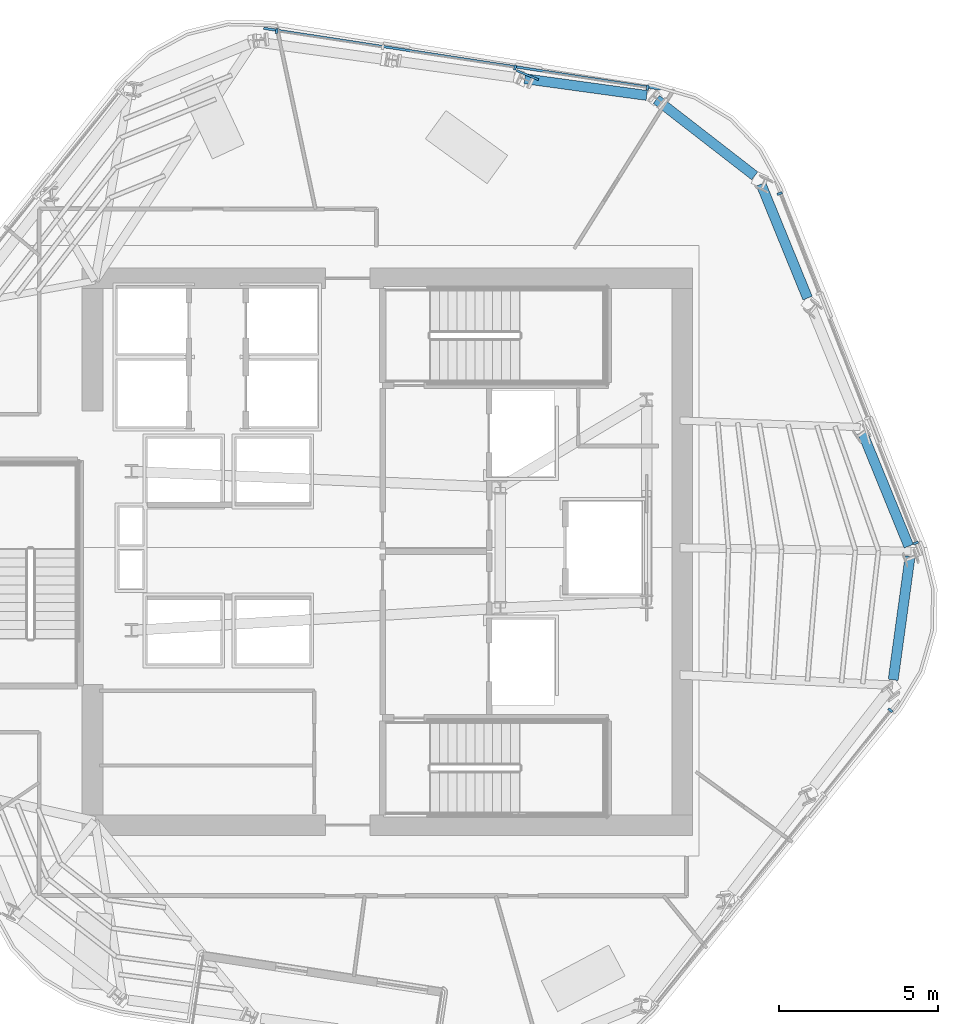
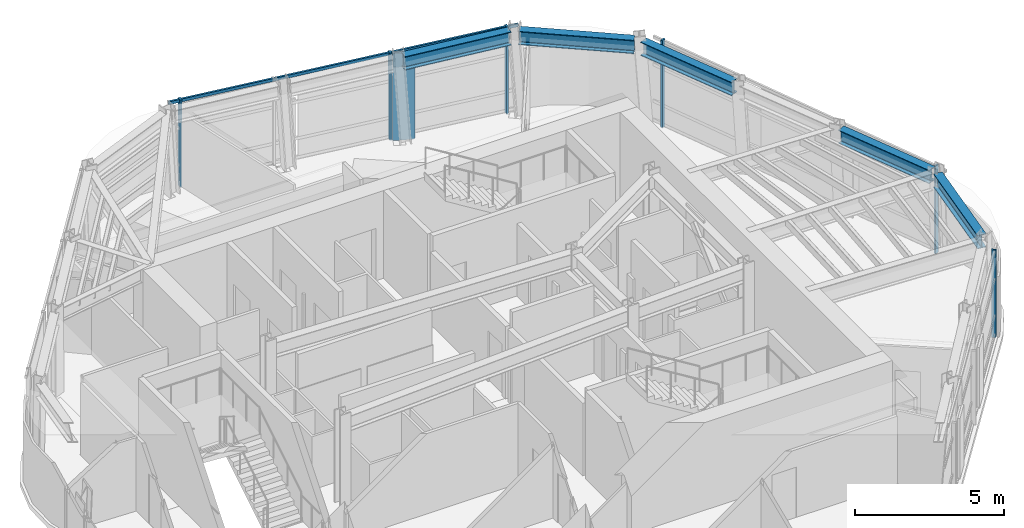
# One storey, part 4 of 12: 8 members, 5 beams, 3 elements without a shape of their own.
"""IFC4 building model written with IfcOpenShell, lengths in metres."""

from ifc_helpers import new_model, si_unit, direction, frame, origin, origin_2d, place, context, subcontext, project, spatial, rectangle, i_section, extrude, material, layer, layer_set, material_profile, profile_set, type_object, element, aggregate, save


model = new_model("IFC4")

# Units and contexts
model_context = context("Model", 3, precision=1e-05, world=origin(), true_north=direction((0.0, 1.0)))
body_context = subcontext(model_context, "Body", "Model", "MODEL_VIEW")
ifc_project = project(units=[si_unit("LENGTHUNIT", "METRE"), si_unit("AREAUNIT", "SQUARE_METRE"), si_unit("VOLUMEUNIT", "CUBIC_METRE"), si_unit("PLANEANGLEUNIT", "RADIAN"), si_unit("MASSUNIT", "GRAM", prefix="KILO")], contexts=[model_context])

# Site, building, storey
site_placement = place(None, origin())
site = spatial("IfcSite", under=ifc_project, at=site_placement, CompositionType="ELEMENT")
building_placement = place(site_placement, origin())
building = spatial("IfcBuilding", under=site, at=building_placement, Name="Valkerne Bourse Tower", CompositionType="ELEMENT")
storey_placement = place(building_placement, frame((0.0, 0.0, 243.60009765625)))
storey = spatial("IfcBuildingStorey", under=building, at=storey_placement, Name="L62", CompositionType="ELEMENT", Elevation=243.60009765625)

# Beams
ifc_material_1 = material(Name="Steel ASTM A992", Category="steel")
ifc_material_profile_1 = material_profile(ifc_material_1, i_section(OverallWidth=0.31494140625, OverallDepth=0.5537109375, WebThickness=0.0166015625, FlangeThickness=0.026123046875, FilletRadius=0.020263671875, at=origin_2d()), Name="W21X132")
ifc_profile_set_1 = profile_set([ifc_material_profile_1], Name="Steel ASTM A992")
beam_type = type_object("IfcBeamType", Name="BM-W21X132", PredefinedType="BEAM", material=ifc_profile_set_1)
beam_1_placement = place(storey_placement, frame((54.953857421875, 41.223876953125, 3.322998046875), z_axis=(-0.990751343804, 0.135689995027, 0.0), x_axis=(-0.135689995027, -0.990751343804, 0.0)))
element("IfcBeam", 1, at=beam_1_placement, inside=storey, type_object=beam_type, Name="L62 Hexagonal Spandrel Ring Beam 00", PredefinedType="BEAM", context=body_context, shape_type="SweptSolid", body=[
    extrude(i_section(OverallWidth=0.31494140625, OverallDepth=0.5537109375, WebThickness=0.0166015625, FlangeThickness=0.026123046875, FilletRadius=0.020263671875, at=origin_2d()), origin(), (0.0, 0.0, 1.0), 3.8720703125),
])
beam_2_placement = place(storey_placement, frame((62.704833984375, 22.84521484375, 3.322998046875), z_axis=(0.135675225022, 0.990753366542, 0.0), x_axis=(-0.990753366542, 0.135675225022, 0.0)))
element("IfcBeam", 2, at=beam_2_placement, inside=storey, type_object=beam_type, Name="L62 Hexagonal Spandrel Ring Beam 19", PredefinedType="BEAM", context=body_context, shape_type="SweptSolid", body=[
    extrude(i_section(OverallWidth=0.31494140625, OverallDepth=0.5537109375, WebThickness=0.0166015625, FlangeThickness=0.026123046875, FilletRadius=0.020263671875, at=origin_2d()), origin(), (0.0, 0.0, 1.0), 3.91552734375),
])
for number, where, z_axis, x_axis, name in (
    (3, (63.195068359375, 27.050537109375, 3.322998046875), (-0.377871627849, 0.925857998219, 0.0), (-0.925857998219, -0.377871627849, 0.0), "L62 Hexagonal Spandrel Ring Beam 20"),
    (4, (60.01220703125, 34.85009765625, 3.322998046875), (-0.377871627849, 0.925857998219, 0.0), (-0.925857998219, -0.377871627849, 0.0), "L62 Hexagonal Spandrel Ring Beam 22"),
):
    element("IfcBeam", number, at=place(storey_placement, frame(where, z_axis=z_axis, x_axis=x_axis)), inside=storey, type_object=beam_type, Name=name, PredefinedType="BEAM", context=body_context, shape_type="SweptSolid", body=[
        extrude(i_section(OverallWidth=0.31494140625, OverallDepth=0.5537109375, WebThickness=0.0166015625, FlangeThickness=0.026123046875, FilletRadius=0.020263671875, at=origin_2d()), origin(), (0.0, 0.0, 1.0), 3.8720703125),
    ])
beam_3_placement = place(storey_placement, frame((58.3505859375, 38.696533203125, 3.322998046875), z_axis=(-0.790160642106, 0.612899795779, 0.0), x_axis=(-0.612899795779, -0.790160642106, 0.0)))
element("IfcBeam", 5, at=beam_3_placement, inside=storey, type_object=beam_type, Name="L62 Hexagonal Spandrel Ring Beam 23", PredefinedType="BEAM", context=body_context, shape_type="SweptSolid", body=[
    extrude(i_section(OverallWidth=0.31494140625, OverallDepth=0.5537109375, WebThickness=0.0166015625, FlangeThickness=0.026123046875, FilletRadius=0.020263671875, at=origin_2d()), origin(), (0.0, 0.0, 1.0), 3.915771484375),
])

# Curtain wall, members
ifc_material_2 = material(Name="Aluminium AA 6063-T6", Category="aluminium")
ifc_layer = layer(ifc_material_2, 0.239990234375)
ifc_layer_set = layer_set([ifc_layer], Name="Aluminium AA 6063-T6")
curtain_wall_type = type_object("IfcCurtainWallType", Name="CW-04", PredefinedType="NOTDEFINED", material=ifc_layer_set)
curtain_wall_1_placement = place(storey_placement, origin())
curtain_wall_1 = element("IfcCurtainWall", 6, at=curtain_wall_1_placement, inside=storey, type_object=curtain_wall_type, Name="L62 Hexagonal Stick Curtain Wall Face 1", PredefinedType="NOTDEFINED")
ifc_material_profile_2 = material_profile(ifc_material_2, rectangle(XDim=0.074951171875, YDim=0.159912109375, at=origin_2d()), Name="CWM-75X160")
ifc_profile_set_2 = profile_set([ifc_material_profile_2], Name="Aluminium AA 6063-T6")
member_type_1 = type_object("IfcMemberType", Name="CW-MUL-160X75", PredefinedType="MULLION", material=ifc_profile_set_2)
member_1_placement = place(storey_placement, frame((54.980712890625, 41.4677734375, 0.0), z_axis=(0.0, 0.0, 1.0), x_axis=(-0.988494608468, 0.151256104109, 0.0)))
member_1 = element("IfcMember", 7, at=member_1_placement, type_object=member_type_1, Name="CW-L62-F1 Jamb Mullion 00A", PredefinedType="MULLION", context=body_context, shape_type="SweptSolid", body=[
    extrude(rectangle(XDim=0.074951171875, YDim=0.159912109375, at=origin_2d()), origin(), (0.0, 0.0, 1.0), 3.599853515625),
])
member_2_placement = place(storey_placement, frame((50.81689453125, 42.10498046875, 0.0), z_axis=(0.0, 0.0, 1.0), x_axis=(-0.988494065285, 0.151259653894, 0.0)))
member_2 = element("IfcMember", 8, at=member_2_placement, type_object=member_type_1, Name="CW-L62-F1 Jamb Mullion 01A", PredefinedType="MULLION", context=body_context, shape_type="SweptSolid", body=[
    extrude(rectangle(XDim=0.074951171875, YDim=0.159912109375, at=origin_2d()), origin(), (0.0, 0.0, 1.0), 3.599853515625),
])
member_3_placement = place(storey_placement, frame((43.3203125, 43.252197265625, 0.0), z_axis=(0.0, 0.0, 1.0), x_axis=(-0.988494065285, 0.151259653894, 0.0)))
member_3 = element("IfcMember", 9, at=member_3_placement, type_object=member_type_1, Name="CW-L62-F1 Jamb Mullion 02B", PredefinedType="MULLION", context=body_context, shape_type="SweptSolid", body=[
    extrude(rectangle(XDim=0.074951171875, YDim=0.159912109375, at=origin_2d()), origin(), (0.0, 0.0, 1.0), 3.599853515625),
])

# Curtain wall, member
curtain_wall_2_placement = place(storey_placement, origin())
curtain_wall_2 = element("IfcCurtainWall", 10, at=curtain_wall_2_placement, inside=storey, type_object=curtain_wall_type, Name="L62 Hexagonal Stick Curtain Wall Face 5", PredefinedType="NOTDEFINED")
member_4_placement = place(storey_placement, frame((62.614501953125, 21.887451171875, 0.0), z_axis=(0.0, 0.0, 1.0), x_axis=(0.625236322799, 0.780435481416, 0.0)))
member_4 = element("IfcMember", 11, at=member_4_placement, type_object=member_type_1, Name="CW-L62-F5 Jamb Mullion 02B", PredefinedType="MULLION", context=body_context, shape_type="SweptSolid", body=[
    extrude(rectangle(XDim=0.074951171875, YDim=0.159912109375, at=origin_2d()), origin(), (0.0, 0.0, 1.0), 3.599853515625),
])
aggregate(curtain_wall_2, [member_4])

# Curtain wall, members
curtain_wall_3_placement = place(storey_placement, origin())
curtain_wall_3 = element("IfcCurtainWall", 12, at=curtain_wall_3_placement, inside=storey, type_object=curtain_wall_type, Name="L62 Hexagonal Stick Curtain Wall Face 6", PredefinedType="NOTDEFINED")
member_5_placement = place(storey_placement, frame((63.419921875, 27.1494140625, 0.0), z_axis=(0.0, 0.0, 1.0), x_axis=(-0.363267586494, 0.931684850474, 0.0)))
member_5 = element("IfcMember", 13, at=member_5_placement, type_object=member_type_1, Name="CW-L62-F6 Jamb Mullion 00A", PredefinedType="MULLION", context=body_context, shape_type="SweptSolid", body=[
    extrude(rectangle(XDim=0.074951171875, YDim=0.159912109375, at=origin_2d()), origin(), (0.0, 0.0, 1.0), 3.599853515625),
])
member_6_placement = place(storey_placement, frame((59.134765625, 38.1396484375, 0.0), z_axis=(0.0, 0.0, 1.0), x_axis=(-0.363246977807, 0.93169288562, 0.0)))
member_6 = element("IfcMember", 14, at=member_6_placement, type_object=member_type_1, Name="CW-L62-F6 Jamb Mullion 02B", PredefinedType="MULLION", context=body_context, shape_type="SweptSolid", body=[
    extrude(rectangle(XDim=0.074951171875, YDim=0.159912109375, at=origin_2d()), origin(), (0.0, 0.0, 1.0), 3.599853515625),
])
aggregate(curtain_wall_3, [member_5, member_6])

# Member
ifc_material_profile_3 = material_profile(ifc_material_2, rectangle(XDim=0.074951171875, YDim=0.1201171875, at=origin_2d()), Name="CWT-75X120")
ifc_profile_set_3 = profile_set([ifc_material_profile_3], Name="Aluminium AA 6063-T6")
member_type_2 = type_object("IfcMemberType", Name="CW-TRN-120X75", PredefinedType="USERDEFINED", material=ifc_profile_set_3)
member_7_placement = place(storey_placement, frame((55.398681640625, 41.424072265625, 3.52001953125), z_axis=(-0.988493115784, 0.151265858828, 0.0), x_axis=(-0.151265858828, -0.988493115784, 0.0)))
member_7 = element("IfcMember", 15, at=member_7_placement, type_object=member_type_2, Name="CW-L62-F1 Continuous Face Transom 4", ObjectType="TRANSOM", PredefinedType="USERDEFINED", context=body_context, shape_type="SweptSolid", body=[
    extrude(rectangle(XDim=0.074951171875, YDim=0.1201171875, at=origin_2d()), origin(), (0.0, 0.0, 1.0), 12.635986328125),
])

aggregate(curtain_wall_1, [member_7, member_1, member_2, member_3])

ifc_material_3 = material(Name="Bronze Anodised Aluminium AA 6063-T6", Category="aluminium")
ifc_material_profile_4 = material_profile(ifc_material_3, rectangle(XDim=0.06494140625, YDim=0.75, at=origin_2d()), Name="FIN-65X750")
ifc_profile_set_4 = profile_set([ifc_material_profile_4], Name="Bronze Anodised Aluminium AA 6063-T6")
member_type_3 = type_object("IfcMemberType", Name="FIN-SOLAR-650", PredefinedType="USERDEFINED", material=ifc_profile_set_4)
member_8_placement = place(storey_placement, frame((51.204833984375, 41.863525390625, 0.00390625), z_axis=(0.0, 0.0, 1.0), x_axis=(0.384790131906, 0.923004092292, 0.0)))
element("IfcMember", 16, at=member_8_placement, inside=storey, type_object=member_type_3, Name="L62 Bronze Anodised Solar Fin F1-01", ObjectType="SOLAR_FIN", PredefinedType="USERDEFINED", context=body_context, shape_type="SweptSolid", body=[
    extrude(rectangle(XDim=0.06494140625, YDim=0.75, at=origin_2d()), origin(), (0.0, 0.0, 1.0), 3.592041015625),
])

save(model, "model.ifc")
